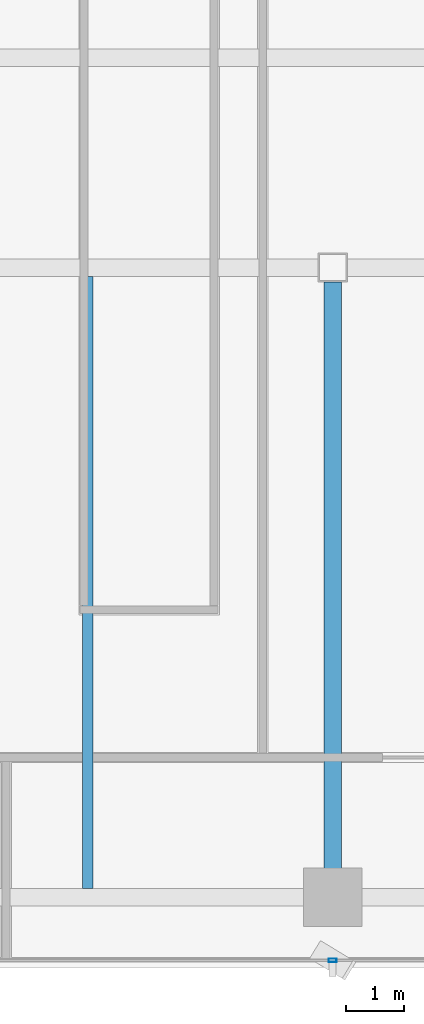
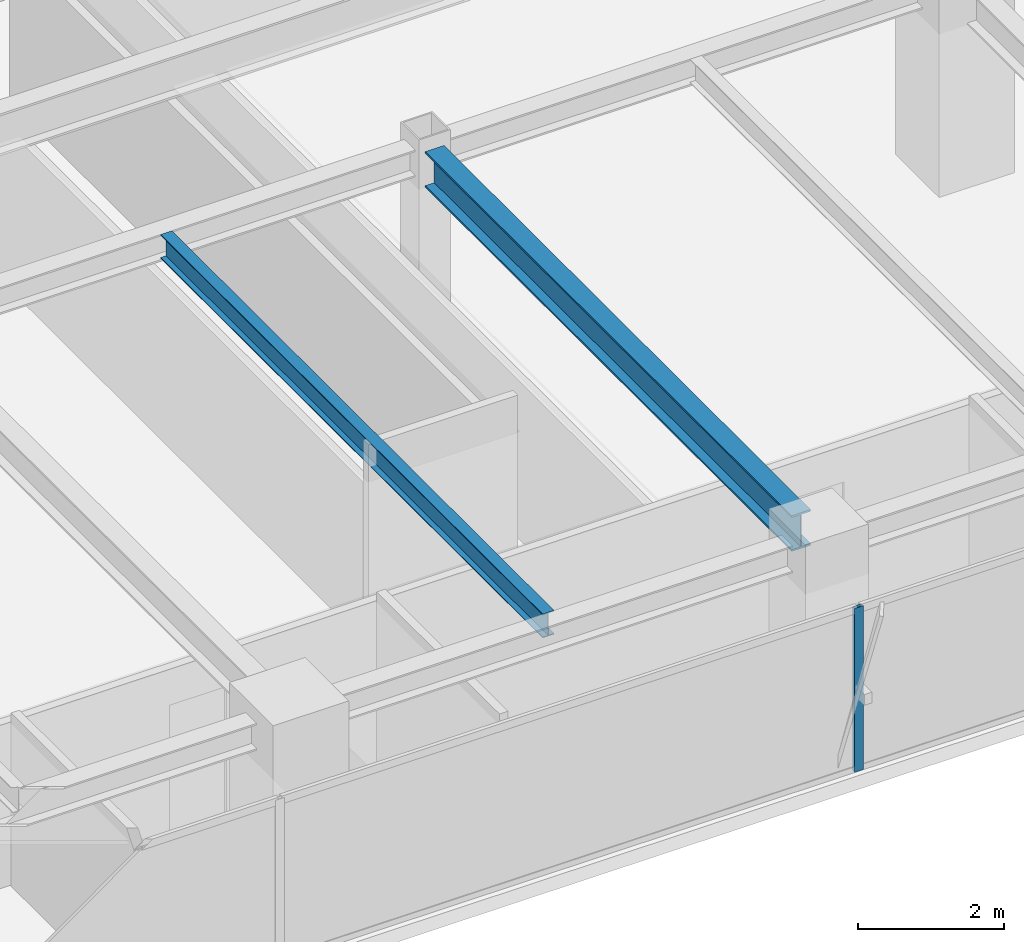
# One storey, part 6 of 25: 2 beams, 1 member, 1 element without a shape of its own.
"""IFC4 building model written with IfcOpenShell, lengths in metres."""

import ifcopenshell
import ifcopenshell.guid

model = None  # the IFC model being written
_history = None  # IfcOwnerHistory: only IFC2X3 demands one
_inside = {}  # id of a spatial element -> (the spatial element, [elements in it])
_under = {}  # id of a project, library or spatial element -> (it, [spatial elements below it])
_declared = {}  # id of a project -> (the project, [libraries it declares])
_typed = {}  # id of a type object -> (the type object, [elements of that type])
_made_of = {}  # id of a material, layer set ... -> (it, [elements and type objects made of it])


def new_model(schema):
    """Start an empty IFC model of exactly this schema.

    Asked for "IFC4X3", IfcOpenShell would pick the latest addendum, in which some entities
    have other attributes; the version numbers below select the first issue.
    IFC2X3 requires an IfcOwnerHistory on every rooted entity: one is made here for all.
    """
    global model, _history
    if schema == "IFC4X3":
        model = ifcopenshell.file(schema_version=(4, 3, 0, 0))
    else:
        model = ifcopenshell.file(schema=schema)
    _inside.clear()
    _under.clear()
    _declared.clear()
    _typed.clear()
    _made_of.clear()
    _history = None
    if model.schema == "IFC2X3":
        org = make("IfcOrganization", Name="unknown")
        user = make(
            "IfcPersonAndOrganization",
            ThePerson=make("IfcPerson", FamilyName="unknown"),
            TheOrganization=org,
        )
        app = make(
            "IfcApplication",
            ApplicationDeveloper=org,
            Version="unknown",
            ApplicationFullName="unknown",
            ApplicationIdentifier="unknown",
        )
        _history = make(
            "IfcOwnerHistory",
            OwningUser=user,
            OwningApplication=app,
            ChangeAction="ADDED",
            CreationDate=0,
        )
    return model


def make(cls, **values):
    """One entity of the class cls with the attributes given. An attribute that is None is left unset."""
    return model.create_entity(
        cls, **{name: value for name, value in values.items() if value is not None}
    )


def rooted(cls, **values):
    """An entity with a GlobalId (a new one), such as an element, a storey or a relation."""
    return make(cls, GlobalId=ifcopenshell.guid.new(), OwnerHistory=_history, **values)


def si_unit(unit_type, name, prefix=None):
    """IfcSIUnit, for example si_unit("LENGTHUNIT", "METRE", prefix="MILLI")."""
    return make("IfcSIUnit", UnitType=unit_type, Prefix=prefix, Name=name)


def assignment(units):
    """IfcUnitAssignment: the units of a project."""
    return None if units is None else make("IfcUnitAssignment", Units=units)


def point(xyz):
    """IfcCartesianPoint."""
    return None if xyz is None else make("IfcCartesianPoint", Coordinates=xyz)


def direction(xyz):
    """IfcDirection."""
    return None if xyz is None else make("IfcDirection", DirectionRatios=xyz)


def frame(location, z_axis=None, x_axis=None):
    """IfcAxis2Placement3D, a coordinate frame: its origin and axes. An axis left out is left unset."""
    return make(
        "IfcAxis2Placement3D",
        Location=point(location),
        Axis=direction(z_axis),
        RefDirection=direction(x_axis),
    )


def frame_2d(location, x_axis=None):
    """IfcAxis2Placement2D, a coordinate frame in the plane: its origin and x axis."""
    return make(
        "IfcAxis2Placement2D", Location=point(location), RefDirection=direction(x_axis)
    )


def origin():
    """The frame at (0, 0, 0) with its axes left unset."""
    return frame((0.0, 0.0, 0.0))


def origin_2d():
    """The frame at (0, 0) in the plane with its x axis left unset."""
    return frame_2d((0.0, 0.0))


def place(relative_to, where):
    """IfcLocalPlacement: puts the frame where relative to a parent placement (None: the world)."""
    return make(
        "IfcLocalPlacement", PlacementRelTo=relative_to, RelativePlacement=where
    )


def context(
    kind, dimensions, precision=None, world=None, true_north=None, identifier=None
):
    """IfcGeometricRepresentationContext, for example the 3D "Model" context."""
    return make(
        "IfcGeometricRepresentationContext",
        ContextIdentifier=identifier,
        ContextType=kind,
        CoordinateSpaceDimension=dimensions,
        Precision=precision,
        WorldCoordinateSystem=world,
        TrueNorth=true_north,
    )


def subcontext(parent, identifier, kind, view, scale=None):
    """IfcGeometricRepresentationSubContext, for example "Body" below "Model"."""
    return make(
        "IfcGeometricRepresentationSubContext",
        ContextIdentifier=identifier,
        ContextType=kind,
        ParentContext=parent,
        TargetScale=scale,
        TargetView=view,
    )


def project(units=None, contexts=None):
    """IfcProject with its units and contexts."""
    return rooted(
        "IfcProject",
        Name="project",
        RepresentationContexts=contexts,
        UnitsInContext=assignment(units),
    )


def spatial(cls, under=None, at=None, **own):
    """A site, building, storey or space (cls), placed at a placement, below another one or the project."""
    s = rooted(cls, ObjectPlacement=at, **own)
    if under is not None:
        _under.setdefault(under.id(), (under, []))[1].append(s)
    return s


def profile(cls, at=None, kind="AREA", **sizes):
    """A parametric profile (cls). Its sizes go by their IFC names, for example OverallWidth=200.0."""
    return make(cls, ProfileType=kind, Position=at, **sizes)


def hollow_rectangle(**sizes):
    """IfcRectangleHollowProfileDef."""
    return profile("IfcRectangleHollowProfileDef", **sizes)


def i_section(**sizes):
    """IfcIShapeProfileDef."""
    return profile("IfcIShapeProfileDef", **sizes)


def extrude(swept, where, along, depth):
    """IfcExtrudedAreaSolid: the profile swept, set in the frame where, extruded along a direction by depth."""
    return make(
        "IfcExtrudedAreaSolid",
        SweptArea=swept,
        Position=where,
        ExtrudedDirection=direction(along),
        Depth=depth,
    )


def shape(context_of_items, identifier, shape_type, items):
    """IfcShapeRepresentation: the items that make up one representation, for example the "Body"."""
    return make(
        "IfcShapeRepresentation",
        ContextOfItems=context_of_items,
        RepresentationIdentifier=identifier,
        RepresentationType=shape_type,
        Items=items,
    )


def source(mapping_origin, context_of_items, identifier, shape_type, items):
    """IfcRepresentationMap: a shape defined once, which mapped items show again and again."""
    return make(
        "IfcRepresentationMap",
        MappingOrigin=mapping_origin,
        MappedRepresentation=shape(context_of_items, identifier, shape_type, items),
    )


def transform(
    local_origin,
    x_axis=None,
    y_axis=None,
    z_axis=None,
    scale=None,
    scale2=None,
    scale3=None,
    uniform=True,
):
    """IfcCartesianTransformationOperator3D, or its non-uniform kind. x_axis, y_axis, z_axis: its Axis1, 2, 3."""
    if uniform:
        return make(
            "IfcCartesianTransformationOperator3D",
            Axis1=direction(x_axis),
            Axis2=direction(y_axis),
            LocalOrigin=point(local_origin),
            Scale=scale,
            Axis3=direction(z_axis),
        )
    return make(
        "IfcCartesianTransformationOperator3DnonUniform",
        Axis1=direction(x_axis),
        Axis2=direction(y_axis),
        LocalOrigin=point(local_origin),
        Scale=scale,
        Axis3=direction(z_axis),
        Scale2=scale2,
        Scale3=scale3,
    )


def mapped(mapping_source, mapping_target):
    """IfcMappedItem: shows the shape of a source again, moved by a transform."""
    return make(
        "IfcMappedItem", MappingSource=mapping_source, MappingTarget=mapping_target
    )


def material(Name=None, Category=None):
    """IfcMaterial."""
    return make("IfcMaterial", Name=Name, Category=Category)


def layer(
    of_material, thickness, ventilated=None, Name=None, Category=None, Priority=None
):
    """IfcMaterialLayer: one layer of a wall or slab, of a material (None: an air gap)."""
    return make(
        "IfcMaterialLayer",
        Material=of_material,
        LayerThickness=thickness,
        IsVentilated=ventilated,
        Name=Name,
        Category=Category,
        Priority=Priority,
    )


def layer_set(layers, Name=None):
    """IfcMaterialLayerSet."""
    return make("IfcMaterialLayerSet", MaterialLayers=layers, LayerSetName=Name)


def material_profile(
    of_material, cross_section, Name=None, Category=None, Priority=None
):
    """IfcMaterialProfile: a cross section and its material."""
    return make(
        "IfcMaterialProfile",
        Name=Name,
        Material=of_material,
        Profile=cross_section,
        Priority=Priority,
        Category=Category,
    )


def profile_set(profiles, Name=None, composite=None):
    """IfcMaterialProfileSet."""
    return make(
        "IfcMaterialProfileSet",
        Name=Name,
        MaterialProfiles=profiles,
        CompositeProfile=composite,
    )


def made_of(thing, what):
    """Note that an element or type object is made of a material, layer set ...; save() writes the relation."""
    if what is not None:
        _made_of.setdefault(what.id(), (what, []))[1].append(thing)
    return thing


def type_object(cls, material=None, **own):
    """A type object (cls), such as IfcWallType, which elements share."""
    return made_of(rooted(cls, **own), material)


def element(
    cls,
    number,
    at=None,
    inside=None,
    cuts=None,
    type_object=None,
    material=None,
    context=None,
    identifier="Body",
    shape_type=None,
    held_by="IfcProductDefinitionShape",
    body=None,
    shapes=None,
    **own,
):
    """One element of the class cls, such as IfcWall. Its Tag is "e" and its number.

    at: its placement. inside: the storey or other place that contains it. cuts: it is an
    opening in that element (IfcRelVoidsElement). A single representation is given by context,
    identifier, shape_type and body (its items); several are given by shapes. held_by: the class
    of the entity that holds the representations. save() writes the other relations.
    """
    e = rooted(cls, Tag="e%d" % number, ObjectPlacement=at, **own)
    if body is not None:
        shapes = [shape(context, identifier, shape_type, body)]
    if shapes is not None:
        e.Representation = make(held_by, Representations=shapes)
    if inside is not None:
        _inside.setdefault(inside.id(), (inside, []))[1].append(e)
    if cuts is not None:
        rooted(
            "IfcRelVoidsElement", RelatingBuildingElement=cuts, RelatedOpeningElement=e
        )
    if type_object is not None:
        _typed.setdefault(type_object.id(), (type_object, []))[1].append(e)
    return made_of(e, material)


def aggregate(whole, parts):
    """IfcRelAggregates: a whole, such as a stair, and the parts it consists of."""
    return rooted("IfcRelAggregates", RelatingObject=whole, RelatedObjects=parts)


def save(model, path):
    """Write the relations noted so far, then the file.

    IfcRelAggregates (storeys below a building ...), IfcRelContainedInSpatialStructure (elements
    in a storey), IfcRelDefinesByType, IfcRelAssociatesMaterial and IfcRelDeclares: one each for
    every whole, place, type object, material and project.
    """
    for whole, parts in _under.values():
        aggregate(whole, parts)
    for where, things in _inside.values():
        rooted(
            "IfcRelContainedInSpatialStructure",
            RelatedElements=things,
            RelatingStructure=where,
        )
    for kind, things in _typed.values():
        rooted("IfcRelDefinesByType", RelatedObjects=things, RelatingType=kind)
    for what, things in _made_of.values():
        rooted("IfcRelAssociatesMaterial", RelatedObjects=things, RelatingMaterial=what)
    for by, libraries in _declared.values():
        rooted("IfcRelDeclares", RelatingContext=by, RelatedDefinitions=libraries)
    model.write(path)


model = new_model("IFC4")

# Units and contexts
model_context = context("Model", 3, precision=1e-05, world=origin(), true_north=direction((0.0, 1.0)))
body_context = subcontext(model_context, "Body", "Model", "MODEL_VIEW")
ifc_project = project(units=[si_unit("LENGTHUNIT", "METRE"), si_unit("AREAUNIT", "SQUARE_METRE"), si_unit("VOLUMEUNIT", "CUBIC_METRE"), si_unit("PLANEANGLEUNIT", "RADIAN"), si_unit("MASSUNIT", "GRAM", prefix="KILO")], contexts=[model_context])

# Site, building, storey
site_placement = place(None, origin())
site = spatial("IfcSite", under=ifc_project, at=site_placement, CompositionType="ELEMENT")
building_placement = place(site_placement, origin())
building = spatial("IfcBuilding", under=site, at=building_placement, Name="Sumidabori Civic Tower", CompositionType="ELEMENT")
storey_placement = place(building_placement, frame((0.0, 0.0, 232.39990234375)))
storey = spatial("IfcBuildingStorey", under=building, at=storey_placement, Name="L60", CompositionType="ELEMENT", Elevation=232.39990234375)

# Beams
ifc_material_1 = material(Name="Steel SN490", Category="steel")
ifc_material_profile_1 = material_profile(ifc_material_1, i_section(OverallWidth=0.300048828125, OverallDepth=0.60009765625, WebThickness=0.015380859375, FlangeThickness=0.030029296875, at=origin_2d()), Name="HE 600 B")
ifc_profile_set_1 = profile_set([ifc_material_profile_1], Name="Steel SN490")
beam_type_1 = type_object("IfcBeamType", Name="BM-GIRD-600", PredefinedType="BEAM", material=ifc_profile_set_1)
shared_shape_1 = source(origin(), body_context, "Body", "SweptSolid", [
    extrude(i_section(OverallWidth=0.300048828125, OverallDepth=0.60009765625, WebThickness=0.015380859375, FlangeThickness=0.030029296875, at=origin_2d()), origin(), (0.0, 0.0, 1.0), 10.070068359375),
])
beam_1_placement = place(storey_placement, frame((0.0, -10.320068359375, 3.070068359375), z_axis=(0.0, 1.0, 0.0), x_axis=(-1.0, 0.0, 0.0)))
element("IfcBeam", 1, at=beam_1_placement, inside=storey, type_object=beam_type_1, Name="Primary Girder L60 GY-13", PredefinedType="BEAM", context=body_context, shape_type="MappedRepresentation", body=[
    mapped(shared_shape_1, transform((0.0, 0.0, 0.0), x_axis=(1.0, 0.0, 0.0), y_axis=(0.0, 1.0, 0.0), z_axis=(0.0, 0.0, 1.0), scale=1.0)),
])
ifc_material_profile_2 = material_profile(ifc_material_1, i_section(OverallWidth=0.179931640625, OverallDepth=0.39990234375, WebThickness=0.008544921875, FlangeThickness=0.013427734375, at=origin_2d()), Name="IPE 400")
ifc_profile_set_2 = profile_set([ifc_material_profile_2], Name="Steel SN490")
beam_type_2 = type_object("IfcBeamType", Name="BM-JST-400", PredefinedType="JOIST", material=ifc_profile_set_2)
shared_shape_2 = source(origin(), body_context, "Body", "SweptSolid", [
    extrude(i_section(OverallWidth=0.179931640625, OverallDepth=0.39990234375, WebThickness=0.008544921875, FlangeThickness=0.013427734375, at=origin_2d()), origin(), (0.0, 0.0, 1.0), 10.5),
])
beam_2_placement = place(storey_placement, frame((-4.199951171875, -10.64990234375, 3.170166015625), z_axis=(0.0, 1.0, 0.0), x_axis=(-1.0, 0.0, 0.0)))
element("IfcBeam", 2, at=beam_2_placement, inside=storey, type_object=beam_type_2, Name="Upper Lens N-S Floor Joist L60 JSTV-21", PredefinedType="JOIST", context=body_context, shape_type="MappedRepresentation", body=[
    mapped(shared_shape_2, transform((0.0, 0.0, 0.0), x_axis=(1.0, 0.0, 0.0), y_axis=(0.0, 1.0, 0.0), z_axis=(0.0, 0.0, 1.0), scale=1.0)),
])

# Curtain wall, member
ifc_material_2 = material(Name="Anodised Bronze Aluminium AW-6063-T6", Category="aluminium")
ifc_layer = layer(ifc_material_2, 0.179931640625, Name="Anodised Bronze Aluminium AW-6063-T6")
ifc_layer_set = layer_set([ifc_layer], Name="Anodised Bronze Aluminium AW-6063-T6")
curtain_wall_type = type_object("IfcCurtainWallType", Name="CW-SYS-5", PredefinedType="NOTDEFINED", material=ifc_layer_set)
curtain_wall_placement = place(storey_placement, origin())
curtain_wall = element("IfcCurtainWall", 3, at=curtain_wall_placement, inside=storey, type_object=curtain_wall_type, Name="Curtain Wall CW:L60:R01", PredefinedType="NOTDEFINED")
ifc_material_profile_3 = material_profile(ifc_material_2, hollow_rectangle(XDim=0.06005859375, YDim=0.139892578125, WallThickness=0.0048828125, at=origin_2d()), Name="ALU MULLION 140x60")
ifc_profile_set_3 = profile_set([ifc_material_profile_3], Name="Anodised Bronze Aluminium AW-6063-T6")
member_type = type_object("IfcMemberType", Name="CW-MUL-140", PredefinedType="MULLION", material=ifc_profile_set_3)
shared_shape_3 = source(origin(), body_context, "Body", "SweptSolid", [
    extrude(hollow_rectangle(XDim=0.06005859375, YDim=0.139892578125, WallThickness=0.0048828125, at=origin_2d()), origin(), (0.0, 0.0, 1.0), 2.75),
])
member_placement = place(storey_placement, frame((0.0, -11.8798828125, 0.0), z_axis=(0.0, 0.0, 1.0), x_axis=(0.0, 1.0, 0.0)))
member = element("IfcMember", 4, at=member_placement, type_object=member_type, Name="CW-5 mullion 3", PredefinedType="MULLION", context=body_context, shape_type="MappedRepresentation", body=[
    mapped(shared_shape_3, transform((0.0, 0.0, 0.0), x_axis=(1.0, 0.0, 0.0), y_axis=(0.0, 1.0, 0.0), z_axis=(0.0, 0.0, 1.0), scale=1.0)),
])
aggregate(curtain_wall, [member])

save(model, "model.ifc")
